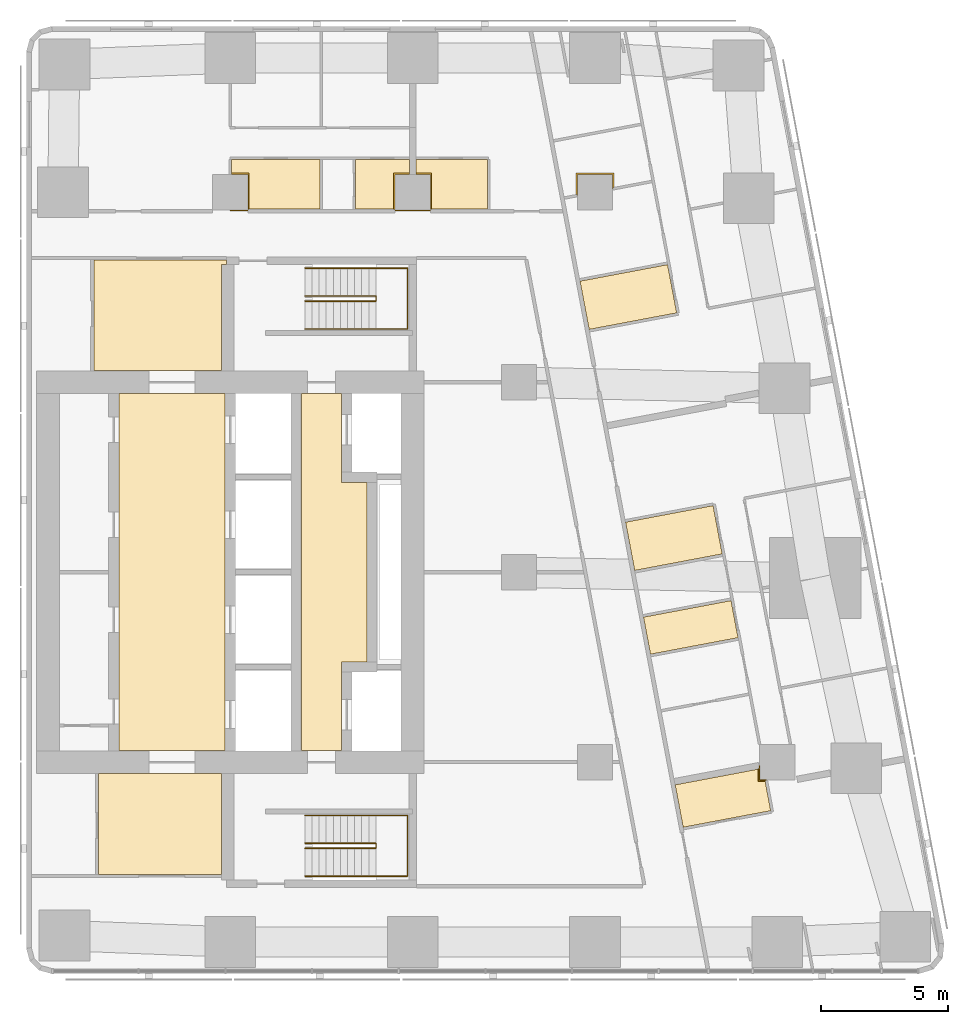
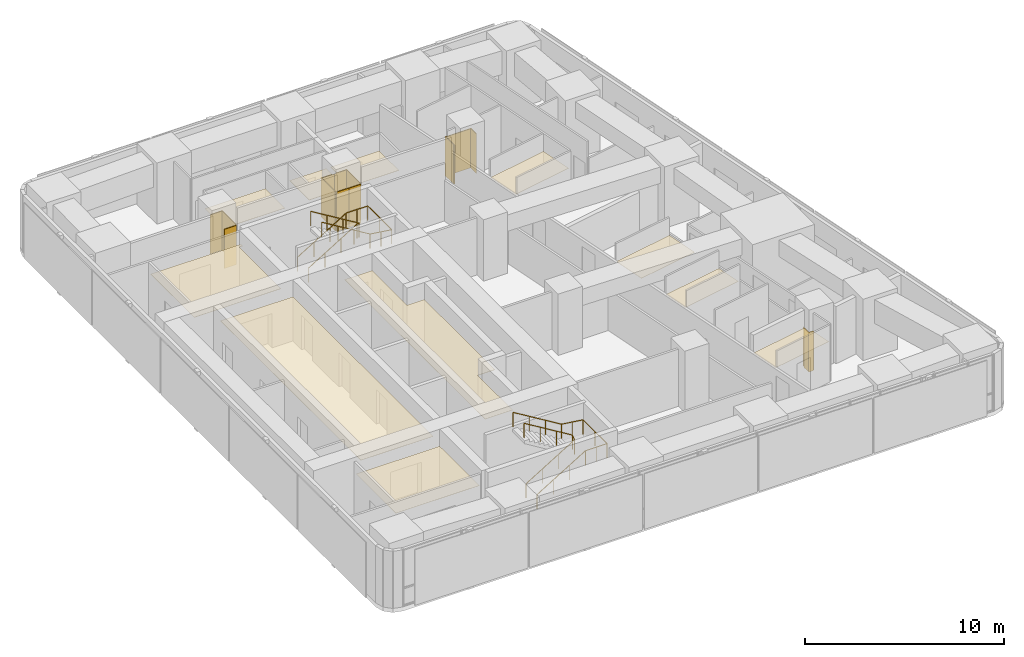
# One storey, part 11 of 11: 16 coverings, 4 railings.
"""IFC4 building model written with IfcOpenShell, lengths in metres."""

from ifc_helpers import new_model, si_unit, direction, frame, origin, origin_2d, place, context, subcontext, project, spatial, polyline, circle, outline, extrude, material, layer, layer_set, type_object, element, save


model = new_model("IFC4")

# Units and contexts
model_context = context("Model", 3, precision=1e-05, world=origin(), true_north=direction((0.0, 1.0)))
body_context = subcontext(model_context, "Body", "Model", "MODEL_VIEW")
ifc_project = project(units=[si_unit("LENGTHUNIT", "METRE"), si_unit("AREAUNIT", "SQUARE_METRE"), si_unit("VOLUMEUNIT", "CUBIC_METRE"), si_unit("PLANEANGLEUNIT", "RADIAN"), si_unit("MASSUNIT", "GRAM", prefix="KILO")], contexts=[model_context])

# Site, building, storey
site_placement = place(None, origin())
site = spatial("IfcSite", under=ifc_project, at=site_placement, CompositionType="ELEMENT")
building_placement = place(site_placement, origin())
building = spatial("IfcBuilding", under=site, at=building_placement, Name="Sheger Commons Tower", CompositionType="ELEMENT")
storey_placement = place(building_placement, frame((0.0, 0.0, 274.10009765625)))
storey = spatial("IfcBuildingStorey", under=building, at=storey_placement, Name="L70", CompositionType="ELEMENT", Elevation=274.10009765625)

# Railings
ifc_material_1 = material(Name="Steel handrail, black powder-coated", Category="steel")
railing_type = type_object("IfcRailingType", Name="HANDRAIL 900", PredefinedType="HANDRAIL", material=ifc_material_1)
railing_1_placement = place(storey_placement, frame((24.550048828125, 11.60009765625, 0.17041015625)))
element("IfcRailing", 1, at=railing_1_placement, inside=storey, type_object=railing_type, Name="Stair S1 handrail L70", PredefinedType="HANDRAIL", context=body_context, shape_type="SweptSolid", body=[
    extrude(circle(Radius=0.02392578125, at=origin_2d()), frame((0.0, 0.0, 0.8759765625), z_axis=(0.854169791009, 0.0, 0.51999420009), x_axis=(0.0, 1.0, 0.0)), (0.0, 0.0, 1.0), 3.278076171875),
    extrude(circle(Radius=0.02392578125, at=origin_2d()), frame((2.800048828125, 0.0, 2.58056640625), z_axis=(0.0, 0.761090297175, 0.648645943136), x_axis=(-1.0, 0.0, 0.0)), (0.0, 0.0, 1.0), 0.2626953125),
    extrude(circle(Radius=0.02392578125, at=origin_2d()), frame((2.800048828125, 0.199951171875, 2.7509765625), z_axis=(-0.854169791009, 0.0, 0.51999420009), x_axis=(0.0, -1.0, 0.0)), (0.0, 0.0, 1.0), 3.278076171875),
    extrude(circle(Radius=0.02099609375, at=origin_2d()), origin(), (0.0, 0.0, 1.0), 0.851806640625),
    extrude(circle(Radius=0.02099609375, at=origin_2d()), frame((0.933349609375, 0.0, 0.568115234375)), (0.0, 0.0, 1.0), 0.851806640625),
    extrude(circle(Radius=0.02099609375, at=origin_2d()), frame((1.86669921875, 0.0, 1.136474609375)), (0.0, 0.0, 1.0), 0.851806640625),
    extrude(circle(Radius=0.02099609375, at=origin_2d()), frame((2.800048828125, 0.0, 1.70458984375)), (0.0, 0.0, 1.0), 0.851806640625),
    extrude(circle(Radius=0.02099609375, at=origin_2d()), frame((2.800048828125, 0.199951171875, 1.875)), (0.0, 0.0, 1.0), 0.851806640625),
    extrude(circle(Radius=0.02099609375, at=origin_2d()), frame((1.86669921875, 0.199951171875, 2.443115234375)), (0.0, 0.0, 1.0), 0.851806640625),
    extrude(circle(Radius=0.02099609375, at=origin_2d()), frame((0.933349609375, 0.199951171875, 3.011474609375)), (0.0, 0.0, 1.0), 0.851806640625),
    extrude(circle(Radius=0.02099609375, at=origin_2d()), frame((0.0, 0.199951171875, 3.57958984375)), (0.0, 0.0, 1.0), 0.851806640625),
])
railing_2_placement = place(storey_placement, frame((24.550048828125, 10.5, 0.17041015625)))
element("IfcRailing", 2, at=railing_2_placement, inside=storey, type_object=railing_type, Name="Stair S1 handrail L70", PredefinedType="HANDRAIL", context=body_context, shape_type="SweptSolid", body=[
    extrude(circle(Radius=0.02392578125, at=origin_2d()), frame((0.0, 0.0, 0.8759765625), z_axis=(0.854169791009, 0.0, 0.51999420009), x_axis=(0.0, 1.0, 0.0)), (0.0, 0.0, 1.0), 3.278076171875),
    extrude(circle(Radius=0.02392578125, at=origin_2d()), frame((2.800048828125, 0.0, 2.58056640625), z_axis=(1.0, 0.0, 0.0), x_axis=(0.0, 1.0, 0.0)), (0.0, 0.0, 1.0), 1.25),
    extrude(circle(Radius=0.02392578125, at=origin_2d()), frame((4.050048828125, 0.0, 2.58056640625), z_axis=(0.0, 1.0, 0.0), x_axis=(-1.0, 0.0, 0.0)), (0.0, 0.0, 1.0), 2.39990234375),
    extrude(circle(Radius=0.02392578125, at=origin_2d()), frame((4.050048828125, 2.39990234375, 2.58056640625), z_axis=(-0.990834877927, 0.0, 0.135078661092), x_axis=(0.0, -1.0, 0.0)), (0.0, 0.0, 1.0), 1.261474609375),
    extrude(circle(Radius=0.02392578125, at=origin_2d()), frame((2.800048828125, 2.39990234375, 2.7509765625), z_axis=(-0.854169791009, 0.0, 0.51999420009), x_axis=(0.0, -1.0, 0.0)), (0.0, 0.0, 1.0), 3.278076171875),
    extrude(circle(Radius=0.02099609375, at=origin_2d()), origin(), (0.0, 0.0, 1.0), 0.851806640625),
    extrude(circle(Radius=0.02099609375, at=origin_2d()), frame((0.933349609375, 0.0, 0.568115234375)), (0.0, 0.0, 1.0), 0.851806640625),
    extrude(circle(Radius=0.02099609375, at=origin_2d()), frame((1.86669921875, 0.0, 1.136474609375)), (0.0, 0.0, 1.0), 0.851806640625),
    extrude(circle(Radius=0.02099609375, at=origin_2d()), frame((2.800048828125, 0.0, 1.70458984375)), (0.0, 0.0, 1.0), 0.851806640625),
    extrude(circle(Radius=0.02099609375, at=origin_2d()), frame((3.425048828125, 0.0, 1.70458984375)), (0.0, 0.0, 1.0), 0.851806640625),
    extrude(circle(Radius=0.02099609375, at=origin_2d()), frame((4.050048828125, 0.0, 1.70458984375)), (0.0, 0.0, 1.0), 0.851806640625),
    extrude(circle(Radius=0.02099609375, at=origin_2d()), frame((4.050048828125, 1.199951171875, 1.70458984375)), (0.0, 0.0, 1.0), 0.851806640625),
    extrude(circle(Radius=0.02099609375, at=origin_2d()), frame((4.050048828125, 2.39990234375, 1.70458984375)), (0.0, 0.0, 1.0), 0.851806640625),
    extrude(circle(Radius=0.02099609375, at=origin_2d()), frame((3.425048828125, 2.39990234375, 1.789794921875)), (0.0, 0.0, 1.0), 0.851806640625),
    extrude(circle(Radius=0.02099609375, at=origin_2d()), frame((2.800048828125, 2.39990234375, 1.875)), (0.0, 0.0, 1.0), 0.851806640625),
    extrude(circle(Radius=0.02099609375, at=origin_2d()), frame((1.86669921875, 2.39990234375, 2.443115234375)), (0.0, 0.0, 1.0), 0.851806640625),
    extrude(circle(Radius=0.02099609375, at=origin_2d()), frame((0.933349609375, 2.39990234375, 3.011474609375)), (0.0, 0.0, 1.0), 0.851806640625),
    extrude(circle(Radius=0.02099609375, at=origin_2d()), frame((0.0, 2.39990234375, 3.57958984375)), (0.0, 0.0, 1.0), 0.851806640625),
])
railing_3_placement = place(storey_placement, frame((24.550048828125, 33.39990234375, 0.17041015625)))
element("IfcRailing", 3, at=railing_3_placement, inside=storey, type_object=railing_type, Name="Stair S2 handrail L70", PredefinedType="HANDRAIL", context=body_context, shape_type="SweptSolid", body=[
    extrude(circle(Radius=0.02392578125, at=origin_2d()), frame((0.0, 0.0, 0.8759765625), z_axis=(0.854169791009, 0.0, 0.51999420009), x_axis=(0.0, 1.0, 0.0)), (0.0, 0.0, 1.0), 3.278076171875),
    extrude(circle(Radius=0.02392578125, at=origin_2d()), frame((2.800048828125, 0.0, 2.58056640625), z_axis=(0.0, -0.761090297175, 0.648645943136), x_axis=(1.0, 0.0, 0.0)), (0.0, 0.0, 1.0), 0.2626953125),
    extrude(circle(Radius=0.02392578125, at=origin_2d()), frame((2.800048828125, -0.199951171875, 2.7509765625), z_axis=(-0.854169791009, 0.0, 0.51999420009), x_axis=(0.0, -1.0, 0.0)), (0.0, 0.0, 1.0), 3.278076171875),
    extrude(circle(Radius=0.02099609375, at=origin_2d()), origin(), (0.0, 0.0, 1.0), 0.851806640625),
    extrude(circle(Radius=0.02099609375, at=origin_2d()), frame((0.933349609375, 0.0, 0.568115234375)), (0.0, 0.0, 1.0), 0.851806640625),
    extrude(circle(Radius=0.02099609375, at=origin_2d()), frame((1.86669921875, 0.0, 1.136474609375)), (0.0, 0.0, 1.0), 0.851806640625),
    extrude(circle(Radius=0.02099609375, at=origin_2d()), frame((2.800048828125, 0.0, 1.70458984375)), (0.0, 0.0, 1.0), 0.851806640625),
    extrude(circle(Radius=0.02099609375, at=origin_2d()), frame((2.800048828125, -0.199951171875, 1.875)), (0.0, 0.0, 1.0), 0.851806640625),
    extrude(circle(Radius=0.02099609375, at=origin_2d()), frame((1.86669921875, -0.199951171875, 2.443115234375)), (0.0, 0.0, 1.0), 0.851806640625),
    extrude(circle(Radius=0.02099609375, at=origin_2d()), frame((0.933349609375, -0.199951171875, 3.011474609375)), (0.0, 0.0, 1.0), 0.851806640625),
    extrude(circle(Radius=0.02099609375, at=origin_2d()), frame((0.0, -0.199951171875, 3.57958984375)), (0.0, 0.0, 1.0), 0.851806640625),
])
railing_4_placement = place(storey_placement, frame((24.550048828125, 34.5, 0.17041015625)))
element("IfcRailing", 4, at=railing_4_placement, inside=storey, type_object=railing_type, Name="Stair S2 handrail L70", PredefinedType="HANDRAIL", context=body_context, shape_type="SweptSolid", body=[
    extrude(circle(Radius=0.02392578125, at=origin_2d()), frame((0.0, 0.0, 0.8759765625), z_axis=(0.854169791009, 0.0, 0.51999420009), x_axis=(0.0, 1.0, 0.0)), (0.0, 0.0, 1.0), 3.278076171875),
    extrude(circle(Radius=0.02392578125, at=origin_2d()), frame((2.800048828125, 0.0, 2.58056640625), z_axis=(1.0, 0.0, 0.0), x_axis=(0.0, 1.0, 0.0)), (0.0, 0.0, 1.0), 1.25),
    extrude(circle(Radius=0.02392578125, at=origin_2d()), frame((4.050048828125, 0.0, 2.58056640625), z_axis=(0.0, -1.0, 0.0), x_axis=(1.0, 0.0, 0.0)), (0.0, 0.0, 1.0), 2.39990234375),
    extrude(circle(Radius=0.02392578125, at=origin_2d()), frame((4.050048828125, -2.39990234375, 2.58056640625), z_axis=(-0.990834877927, 0.0, 0.135078661092), x_axis=(0.0, -1.0, 0.0)), (0.0, 0.0, 1.0), 1.261474609375),
    extrude(circle(Radius=0.02392578125, at=origin_2d()), frame((2.800048828125, -2.39990234375, 2.7509765625), z_axis=(-0.854169791009, 0.0, 0.51999420009), x_axis=(0.0, -1.0, 0.0)), (0.0, 0.0, 1.0), 3.278076171875),
    extrude(circle(Radius=0.02099609375, at=origin_2d()), origin(), (0.0, 0.0, 1.0), 0.851806640625),
    extrude(circle(Radius=0.02099609375, at=origin_2d()), frame((0.933349609375, 0.0, 0.568115234375)), (0.0, 0.0, 1.0), 0.851806640625),
    extrude(circle(Radius=0.02099609375, at=origin_2d()), frame((1.86669921875, 0.0, 1.136474609375)), (0.0, 0.0, 1.0), 0.851806640625),
    extrude(circle(Radius=0.02099609375, at=origin_2d()), frame((2.800048828125, 0.0, 1.70458984375)), (0.0, 0.0, 1.0), 0.851806640625),
    extrude(circle(Radius=0.02099609375, at=origin_2d()), frame((3.425048828125, 0.0, 1.70458984375)), (0.0, 0.0, 1.0), 0.851806640625),
    extrude(circle(Radius=0.02099609375, at=origin_2d()), frame((4.050048828125, 0.0, 1.70458984375)), (0.0, 0.0, 1.0), 0.851806640625),
    extrude(circle(Radius=0.02099609375, at=origin_2d()), frame((4.050048828125, -1.199951171875, 1.70458984375)), (0.0, 0.0, 1.0), 0.851806640625),
    extrude(circle(Radius=0.02099609375, at=origin_2d()), frame((4.050048828125, -2.39990234375, 1.70458984375)), (0.0, 0.0, 1.0), 0.851806640625),
    extrude(circle(Radius=0.02099609375, at=origin_2d()), frame((3.425048828125, -2.39990234375, 1.789794921875)), (0.0, 0.0, 1.0), 0.851806640625),
    extrude(circle(Radius=0.02099609375, at=origin_2d()), frame((2.800048828125, -2.39990234375, 1.875)), (0.0, 0.0, 1.0), 0.851806640625),
    extrude(circle(Radius=0.02099609375, at=origin_2d()), frame((1.86669921875, -2.39990234375, 2.443115234375)), (0.0, 0.0, 1.0), 0.851806640625),
    extrude(circle(Radius=0.02099609375, at=origin_2d()), frame((0.933349609375, -2.39990234375, 3.011474609375)), (0.0, 0.0, 1.0), 0.851806640625),
    extrude(circle(Radius=0.02099609375, at=origin_2d()), frame((0.0, -2.39990234375, 3.57958984375)), (0.0, 0.0, 1.0), 0.851806640625),
])

# Coverings
ifc_material_2 = material(Name="Moisture-resistant gypsum plasterboard 15 mm on a suspended galvanised steel grid", Category="steel")
ifc_layer_1 = layer(ifc_material_2, 0.014892578125)
ifc_layer_set_1 = layer_set([ifc_layer_1], Name="MOISTURE-RESISTANT CEILING 15")
covering_type_1 = type_object("IfcCoveringType", Name="MOISTURE-RESISTANT CEILING 15", PredefinedType="CEILING", material=ifc_layer_set_1)
covering_1_placement = place(storey_placement, frame((0.0, 0.0, 2.39990234375)))
element("IfcCovering", 5, at=covering_1_placement, inside=storey, type_object=covering_type_1, Name="L70-01.B1 ceiling", PredefinedType="CEILING", context=body_context, shape_type="SweptSolid", body=[
    extrude(outline(polyline([(35.77001953125, 32.083984375), (39.22509765625, 32.736083984375), (38.864990234375, 34.64208984375), (35.409912109375, 33.989990234375), (35.77001953125, 32.083984375)])), origin(), (0.0, 0.0, 1.0), 0.014892578125),
])
covering_2_placement = place(storey_placement, frame((0.0, 0.0, 2.39990234375)))
element("IfcCovering", 6, at=covering_2_placement, inside=storey, type_object=covering_type_1, Name="L70-02.B1 ceiling", PredefinedType="CEILING", context=body_context, shape_type="SweptSolid", body=[
    extrude(outline(polyline([(37.568115234375, 22.569091796875), (41.02197265625, 23.220947265625), (40.662109375, 25.1279296875), (37.2080078125, 24.47509765625), (37.568115234375, 22.569091796875)])), origin(), (0.0, 0.0, 1.0), 0.014892578125),
])
covering_3_placement = place(storey_placement, frame((0.0, 0.0, 2.39990234375)))
element("IfcCovering", 7, at=covering_3_placement, inside=storey, type_object=covering_type_1, Name="L70-02.B2 ceiling", PredefinedType="CEILING", context=body_context, shape_type="SweptSolid", body=[
    extrude(outline(polyline([(38.19189453125, 19.260986328125), (41.64697265625, 19.9140625), (41.37109375, 21.3779296875), (37.916015625, 20.72607421875), (38.19189453125, 19.260986328125)])), origin(), (0.0, 0.0, 1.0), 0.014892578125),
])
covering_4_placement = place(storey_placement, frame((0.0, 0.0, 2.39990234375)))
element("IfcCovering", 8, at=covering_4_placement, inside=storey, type_object=covering_type_1, Name="L70-03.B1 ceiling", PredefinedType="CEILING", context=body_context, shape_type="SweptSolid", body=[
    extrude(outline(polyline([(39.48291015625, 12.429931640625), (42.93701171875, 13.0830078125), (42.7099609375, 14.284912109375), (42.7529296875, 14.29296875), (42.7529296875, 14.294921875), (42.4951171875, 14.294921875), (42.4951171875, 14.73388671875), (39.166015625, 14.10498046875), (39.48291015625, 12.429931640625)])), origin(), (0.0, 0.0, 1.0), 0.014892578125),
])
covering_5_placement = place(storey_placement, frame((0.0, 0.0, 2.39990234375)))
element("IfcCovering", 9, at=covering_5_placement, inside=storey, type_object=covering_type_1, Name="L70-04.B1 ceiling", PredefinedType="CEILING", context=body_context, shape_type="SweptSolid", body=[
    extrude(outline(polyline([(22.304931640625, 36.830078125), (25.14501953125, 36.830078125), (25.14501953125, 38.794921875), (21.655029296875, 38.794921875), (21.655029296875, 38.205078125), (22.304931640625, 38.205078125), (22.304931640625, 36.830078125)])), origin(), (0.0, 0.0, 1.0), 0.014892578125),
])
covering_6_placement = place(storey_placement, frame((0.0, 0.0, 2.39990234375)))
element("IfcCovering", 10, at=covering_6_placement, inside=storey, type_object=covering_type_1, Name="L70-04.B2 ceiling", PredefinedType="CEILING", context=body_context, shape_type="SweptSolid", body=[
    extrude(outline(polyline([(26.554931640625, 36.830078125), (28.094970703125, 36.830078125), (28.094970703125, 38.205078125), (28.669921875, 38.205078125), (28.669921875, 38.794921875), (26.554931640625, 38.794921875), (26.554931640625, 36.830078125)])), origin(), (0.0, 0.0, 1.0), 0.014892578125),
])
covering_7_placement = place(storey_placement, frame((0.0, 0.0, 2.39990234375)))
element("IfcCovering", 11, at=covering_7_placement, inside=storey, type_object=covering_type_1, Name="L70-05.B1 ceiling", PredefinedType="CEILING", context=body_context, shape_type="SweptSolid", body=[
    extrude(outline(polyline([(29.5048828125, 36.830078125), (31.7490234375, 36.830078125), (31.7490234375, 38.794921875), (28.929931640625, 38.794921875), (28.929931640625, 38.205078125), (29.5048828125, 38.205078125), (29.5048828125, 36.830078125)])), origin(), (0.0, 0.0, 1.0), 0.014892578125),
])
ifc_material_3 = material(Name="Gypsum plasterboard 15 mm on a suspended steel grid", Category="steel")
ifc_layer_2 = layer(ifc_material_3, 0.014892578125)
ifc_layer_set_2 = layer_set([ifc_layer_2], Name="SUSPENDED CEILING 15")
covering_type_2 = type_object("IfcCoveringType", Name="SUSPENDED CEILING 15", PredefinedType="CEILING", material=ifc_layer_set_2)
covering_8_placement = place(storey_placement, frame((0.0, 0.0, 2.699951171875)))
element("IfcCovering", 12, at=covering_8_placement, inside=storey, type_object=covering_type_2, Name="L70-SVS1 ceiling", PredefinedType="CEILING", context=body_context, shape_type="SweptSolid", body=[
    extrude(outline(polyline([(16.406982421875, 10.568115234375), (21.2451171875, 10.568115234375), (21.2451171875, 14.544921875), (16.406982421875, 14.544921875), (16.406982421875, 10.568115234375)])), origin(), (0.0, 0.0, 1.0), 0.014892578125),
])
covering_9_placement = place(storey_placement, frame((0.0, 0.0, 2.699951171875)))
element("IfcCovering", 13, at=covering_9_placement, inside=storey, type_object=covering_type_2, Name="L70-SVN1 ceiling", PredefinedType="CEILING", context=body_context, shape_type="SweptSolid", body=[
    extrude(outline(polyline([(16.217041015625, 30.455078125), (21.2451171875, 30.455078125), (21.2451171875, 34.655029296875), (21.445068359375, 34.655029296875), (21.445068359375, 34.83203125), (16.217041015625, 34.83203125), (16.217041015625, 30.455078125)])), origin(), (0.0, 0.0, 1.0), 0.014892578125),
])
covering_10_placement = place(storey_placement, frame((0.0, 0.0, 2.699951171875)))
element("IfcCovering", 14, at=covering_10_placement, inside=storey, type_object=covering_type_2, Name="L70-LL ceiling", PredefinedType="CEILING", context=body_context, shape_type="SweptSolid", body=[
    extrude(outline(polyline([(17.205078125, 15.455078125), (21.39990234375, 15.455078125), (21.39990234375, 29.544921875), (17.205078125, 29.544921875), (17.205078125, 15.455078125)])), origin(), (0.0, 0.0, 1.0), 0.014892578125),
])
covering_11_placement = place(storey_placement, frame((0.0, 0.0, 2.699951171875)))
element("IfcCovering", 15, at=covering_11_placement, inside=storey, type_object=covering_type_2, Name="L70-FL ceiling", PredefinedType="CEILING", context=body_context, shape_type="SweptSolid", body=[
    extrude(outline(polyline([(24.405029296875, 15.455078125), (25.9951171875, 15.455078125), (25.9951171875, 18.955078125), (26.9951171875, 18.955078125), (26.9951171875, 26.044921875), (25.9951171875, 26.044921875), (25.9951171875, 29.544921875), (24.405029296875, 29.544921875), (24.405029296875, 15.455078125)])), origin(), (0.0, 0.0, 1.0), 0.014892578125),
])
ifc_material_4 = material(Name="Moisture-resistant gypsum board 12.5 mm on 25 mm treated timber battens, tanked and tiled", Category="wood")
ifc_layer_3 = layer(ifc_material_4, 0.050048828125)
ifc_layer_set_3 = layer_set([ifc_layer_3], Name="WET-ROOM COLUMN LINING")
covering_type_3 = type_object("IfcCoveringType", Name="WET-ROOM COLUMN LINING", PredefinedType="CLADDING", material=ifc_layer_set_3)
covering_12_placement = place(storey_placement, origin())
element("IfcCovering", 16, at=covering_12_placement, inside=storey, type_object=covering_type_3, Name="Shower room column lining C11 L70", PredefinedType="CLADDING", context=body_context, shape_type="SweptSolid", body=[
    extrude(outline(polyline([(42.5, 14.866943359375), (42.5, 14.300048828125), (42.762939453125, 14.300048828125), (42.764892578125, 14.2900390625), (42.716064453125, 14.281005859375), (42.721923828125, 14.25), (42.449951171875, 14.25), (42.449951171875, 14.73095703125), (42.4990234375, 14.739990234375), (42.47607421875, 14.862060546875), (42.5, 14.866943359375)])), origin(), (0.0, 0.0, 1.0), 2.39990234375),
])
covering_13_placement = place(storey_placement, origin())
element("IfcCovering", 17, at=covering_13_placement, inside=storey, type_object=covering_type_3, Name="Bathroom column lining C11 L70", PredefinedType="CLADDING", context=body_context, shape_type="SweptSolid", body=[
    extrude(outline(polyline([(22.35009765625, 36.824951171875), (22.301025390625, 36.824951171875), (22.301025390625, 36.75), (21.60009765625, 36.75), (21.60009765625, 36.800048828125), (22.300048828125, 36.800048828125), (22.300048828125, 38.199951171875), (21.60009765625, 38.199951171875), (21.60009765625, 38.200927734375), (21.64990234375, 38.200927734375), (21.64990234375, 38.25), (22.35009765625, 38.25), (22.35009765625, 36.824951171875)])), origin(), (0.0, 0.0, 1.0), 2.39990234375),
])
covering_14_placement = place(storey_placement, origin())
element("IfcCovering", 18, at=covering_14_placement, inside=storey, type_object=covering_type_3, Name="Shower room column lining C11 L70", PredefinedType="CLADDING", context=body_context, shape_type="SweptSolid", body=[
    extrude(outline(polyline([(28.675048828125, 38.25), (28.675048828125, 38.200927734375), (28.800048828125, 38.200927734375), (28.800048828125, 38.199951171875), (28.10009765625, 38.199951171875), (28.10009765625, 36.800048828125), (28.800048828125, 36.800048828125), (28.800048828125, 36.75), (28.09912109375, 36.75), (28.09912109375, 36.824951171875), (28.050048828125, 36.824951171875), (28.050048828125, 38.25), (28.675048828125, 38.25)])), origin(), (0.0, 0.0, 1.0), 2.39990234375),
])
covering_15_placement = place(storey_placement, origin())
element("IfcCovering", 19, at=covering_15_placement, inside=storey, type_object=covering_type_3, Name="Shower room column lining C11 L70", PredefinedType="CLADDING", context=body_context, shape_type="SweptSolid", body=[
    extrude(outline(polyline([(29.550048828125, 36.824951171875), (29.5009765625, 36.824951171875), (29.5009765625, 36.75), (28.800048828125, 36.75), (28.800048828125, 36.800048828125), (29.5, 36.800048828125), (29.5, 38.199951171875), (28.800048828125, 38.199951171875), (28.800048828125, 38.200927734375), (28.925048828125, 38.200927734375), (28.925048828125, 38.25), (29.550048828125, 38.25), (29.550048828125, 36.824951171875)])), origin(), (0.0, 0.0, 1.0), 2.39990234375),
])
covering_16_placement = place(storey_placement, origin())
element("IfcCovering", 20, at=covering_16_placement, inside=storey, type_object=covering_type_3, Name="Laundry room column lining C11 L70", PredefinedType="CLADDING", context=body_context, shape_type="SweptSolid", body=[
    extrude(outline(polyline([(36.75, 38.25), (36.75, 37.69189453125), (36.700927734375, 37.68310546875), (36.7099609375, 37.635009765625), (36.699951171875, 37.633056640625), (36.699951171875, 38.199951171875), (35.300048828125, 38.199951171875), (35.300048828125, 37.367919921875), (35.2900390625, 37.365966796875), (35.281005859375, 37.4150390625), (35.25, 37.408935546875), (35.25, 38.25), (36.75, 38.25)])), origin(), (0.0, 0.0, 1.0), 2.39990234375),
])

save(model, "model.ifc")
